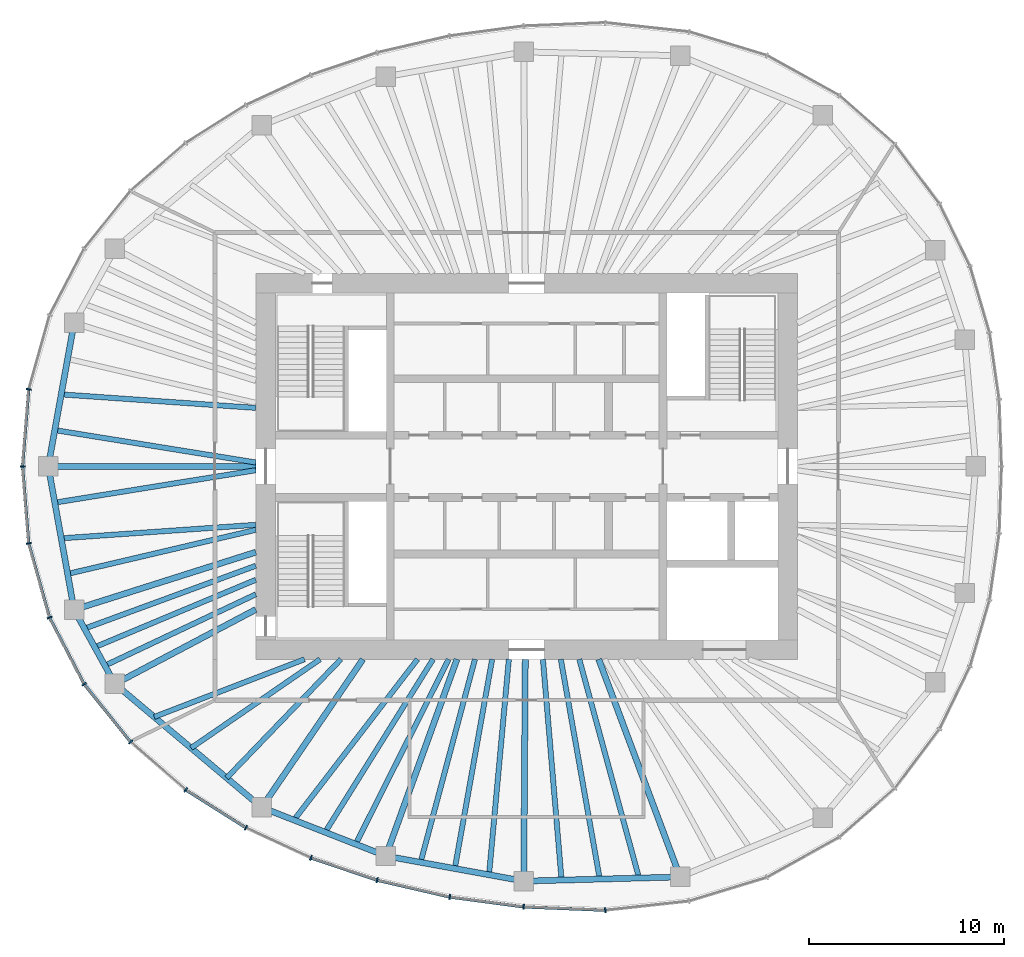
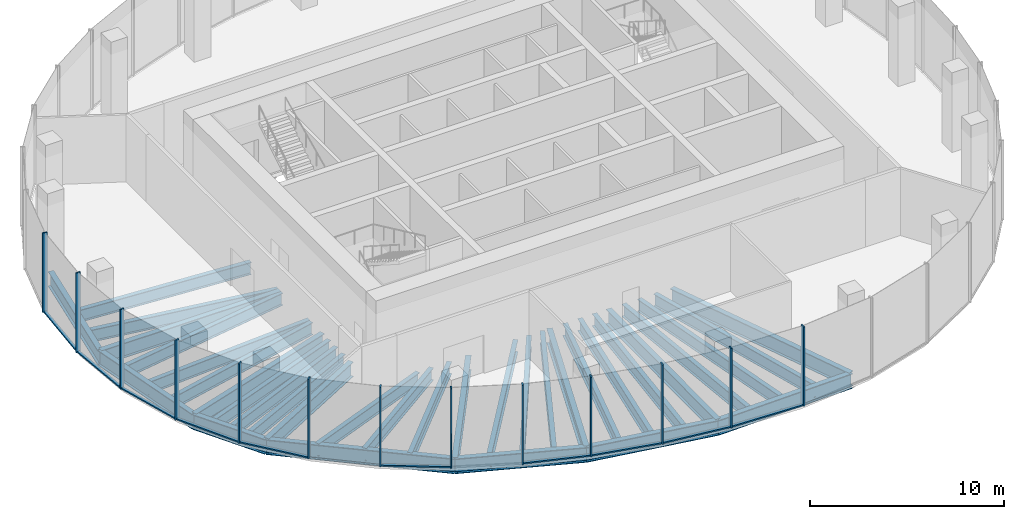
# One storey, part 2 of 11: 34 beams, 23 members, 7 elements without a shape of their own.
"""IFC4 building model written with IfcOpenShell, lengths in metres."""

from ifc_helpers import new_model, si_unit, direction, frame, origin, origin_2d, place, context, subcontext, project, spatial, rectangle, i_section, extrude, material, material_profile, profile_set, type_object, element, aggregate, save


model = new_model("IFC4")

# Units and contexts
model_context = context("Model", 3, precision=1e-05, world=origin(), true_north=direction((0.0, 1.0)))
body_context = subcontext(model_context, "Body", "Model", "MODEL_VIEW")
ifc_project = project(units=[si_unit("LENGTHUNIT", "METRE"), si_unit("AREAUNIT", "SQUARE_METRE"), si_unit("VOLUMEUNIT", "CUBIC_METRE"), si_unit("PLANEANGLEUNIT", "RADIAN"), si_unit("MASSUNIT", "GRAM", prefix="KILO")], contexts=[model_context])

# Site, building, storey
site_placement = place(None, origin())
site = spatial("IfcSite", under=ifc_project, at=site_placement, CompositionType="ELEMENT")
building_placement = place(site_placement, origin())
building = spatial("IfcBuilding", under=site, at=building_placement, Name="Ghaith Harvest Tower", CompositionType="ELEMENT")
storey_placement = place(building_placement, frame((0.0, 0.0, 344.199951171875)))
storey = spatial("IfcBuildingStorey", under=building, at=storey_placement, Name="L77", CompositionType="ELEMENT", Elevation=344.199951171875)

# Curtain wall, member
ifc_material_1 = material(Name="Black anodised aluminium and fritted glass", Category="aluminium")
curtain_wall_type = type_object("IfcCurtainWallType", Name="CW-C CURTAIN WALL", PredefinedType="NOTDEFINED", material=ifc_material_1)
curtain_wall_1_placement = place(storey_placement, origin())
curtain_wall_1 = element("IfcCurtainWall", 1, at=curtain_wall_1_placement, inside=storey, type_object=curtain_wall_type, Name="Curtain wall CW-C bay 10 L77", PredefinedType="NOTDEFINED")
ifc_material_2 = material(Name="Aluminium, black anodised", Category="aluminium")
ifc_material_profile_1 = material_profile(ifc_material_2, rectangle(XDim=0.080078125, YDim=0.260009765625, at=origin_2d()), Name="CW-C MULLION 80x260")
ifc_profile_set_1 = profile_set([ifc_material_profile_1], Name="Aluminium, black anodised")
member_type_1 = type_object("IfcMemberType", Name="CW-C MULLION 80x260", PredefinedType="MULLION", material=ifc_profile_set_1)
member_1_placement = place(storey_placement, frame((-25.5517578125, 3.9521484375, 0.0), z_axis=(0.0, 0.0, 1.0), x_axis=(-0.176001390642, -0.984389917915, 0.0)))
member_1 = element("IfcMember", 2, at=member_1_placement, type_object=member_type_1, Name="CW-C mullion 2 bay 10 L77", PredefinedType="MULLION", context=body_context, shape_type="SweptSolid", body=[
    extrude(rectangle(XDim=0.080078125, YDim=0.260009765625, at=origin_2d()), origin(), (0.0, 0.0, 1.0), 5.0),
])

# Curtain wall, members
curtain_wall_2_placement = place(storey_placement, origin())
curtain_wall_2 = element("IfcCurtainWall", 3, at=curtain_wall_2_placement, inside=storey, type_object=curtain_wall_type, Name="Curtain wall CW-C bay 11 L77", PredefinedType="NOTDEFINED")
member_2_placement = place(storey_placement, frame((-25.8701171875, 0.0, 0.0), z_axis=(0.0, 0.0, 1.0), x_axis=(-1.05e-10, -1.0, 0.0)))
member_2 = element("IfcMember", 4, at=member_2_placement, type_object=member_type_1, Name="CW-C mullion 1 bay 11 L77", PredefinedType="MULLION", context=body_context, shape_type="SweptSolid", body=[
    extrude(rectangle(XDim=0.080078125, YDim=0.260009765625, at=origin_2d()), origin(), (0.0, 0.0, 1.0), 5.0),
])
member_3_placement = place(storey_placement, frame((-25.5517578125, -3.9521484375, 0.0), z_axis=(0.0, 0.0, 1.0), x_axis=(0.176001391003, -0.98438991785, 0.0)))
member_3 = element("IfcMember", 5, at=member_3_placement, type_object=member_type_1, Name="CW-C mullion 2 bay 11 L77", PredefinedType="MULLION", context=body_context, shape_type="SweptSolid", body=[
    extrude(rectangle(XDim=0.080078125, YDim=0.260009765625, at=origin_2d()), origin(), (0.0, 0.0, 1.0), 5.0),
])

curtain_wall_3_placement = place(storey_placement, origin())
curtain_wall_3 = element("IfcCurtainWall", 6, at=curtain_wall_3_placement, inside=storey, type_object=curtain_wall_type, Name="Curtain wall CW-C bay 12 L77", PredefinedType="NOTDEFINED")
member_4_placement = place(storey_placement, frame((-24.482666015625, -7.759033203125, 0.0), z_axis=(0.0, 0.0, 1.0), x_axis=(0.366473104734, -0.930428645038, 0.0)))
member_4 = element("IfcMember", 7, at=member_4_placement, type_object=member_type_1, Name="CW-C mullion 1 bay 12 L77", PredefinedType="MULLION", context=body_context, shape_type="SweptSolid", body=[
    extrude(rectangle(XDim=0.080078125, YDim=0.260009765625, at=origin_2d()), origin(), (0.0, 0.0, 1.0), 5.0),
])
member_5_placement = place(storey_placement, frame((-22.706298828125, -11.176513671875, 0.0), z_axis=(0.0, 0.0, 1.0), x_axis=(0.545865412431, -0.837872873121, 0.0)))
member_5 = element("IfcMember", 8, at=member_5_placement, type_object=member_type_1, Name="CW-C mullion 2 bay 12 L77", PredefinedType="MULLION", context=body_context, shape_type="SweptSolid", body=[
    extrude(rectangle(XDim=0.080078125, YDim=0.260009765625, at=origin_2d()), origin(), (0.0, 0.0, 1.0), 5.0),
])

curtain_wall_4_placement = place(storey_placement, origin())
curtain_wall_4 = element("IfcCurtainWall", 9, at=curtain_wall_4_placement, inside=storey, type_object=curtain_wall_type, Name="Curtain wall CW-C bay 13 L77", PredefinedType="NOTDEFINED")
member_6_placement = place(storey_placement, frame((-20.324462890625, -14.141845703125, 0.0), z_axis=(0.0, 0.0, 1.0), x_axis=(0.692826491831, -0.721104328248, 0.0)))
member_6 = element("IfcMember", 10, at=member_6_placement, type_object=member_type_1, Name="CW-C mullion 1 bay 13 L77", PredefinedType="MULLION", context=body_context, shape_type="SweptSolid", body=[
    extrude(rectangle(XDim=0.080078125, YDim=0.260009765625, at=origin_2d()), origin(), (0.0, 0.0, 1.0), 5.0),
])
member_7_placement = place(storey_placement, frame((-17.49462890625, -16.600830078125, 0.0), z_axis=(0.0, 0.0, 1.0), x_axis=(0.802189888845, -0.59706899286, 0.0)))
member_7 = element("IfcMember", 11, at=member_7_placement, type_object=member_type_1, Name="CW-C mullion 2 bay 13 L77", PredefinedType="MULLION", context=body_context, shape_type="SweptSolid", body=[
    extrude(rectangle(XDim=0.080078125, YDim=0.260009765625, at=origin_2d()), origin(), (0.0, 0.0, 1.0), 5.0),
])

curtain_wall_5_placement = place(storey_placement, origin())
curtain_wall_5 = element("IfcCurtainWall", 12, at=curtain_wall_5_placement, inside=storey, type_object=curtain_wall_type, Name="Curtain wall CW-C bay 14 L77", PredefinedType="NOTDEFINED")
member_8_placement = place(storey_placement, frame((-14.40478515625, -18.5478515625, 0.0), z_axis=(0.0, 0.0, 1.0), x_axis=(0.878671732732, -0.477426419564, 0.0)))
member_8 = element("IfcMember", 13, at=member_8_placement, type_object=member_type_1, Name="CW-C mullion 1 bay 14 L77", PredefinedType="MULLION", context=body_context, shape_type="SweptSolid", body=[
    extrude(rectangle(XDim=0.080078125, YDim=0.260009765625, at=origin_2d()), origin(), (0.0, 0.0, 1.0), 5.0),
])
member_9_placement = place(storey_placement, frame((-11.0673828125, -20.093017578125, 0.0), z_axis=(0.0, 0.0, 1.0), x_axis=(0.92862442092, -0.371021138038, 0.0)))
member_9 = element("IfcMember", 14, at=member_9_placement, type_object=member_type_1, Name="CW-C mullion 2 bay 14 L77", PredefinedType="MULLION", context=body_context, shape_type="SweptSolid", body=[
    extrude(rectangle(XDim=0.080078125, YDim=0.260009765625, at=origin_2d()), origin(), (0.0, 0.0, 1.0), 5.0),
])

curtain_wall_6_placement = place(storey_placement, origin())
curtain_wall_6 = element("IfcCurtainWall", 15, at=curtain_wall_6_placement, inside=storey, type_object=curtain_wall_type, Name="Curtain wall CW-C bay 15 L77", PredefinedType="NOTDEFINED")
member_10_placement = place(storey_placement, frame((-7.6708984375, -21.23828125, 0.0), z_axis=(0.0, 0.0, 1.0), x_axis=(0.962552491659, -0.271095372151, 0.0)))
member_10 = element("IfcMember", 16, at=member_10_placement, type_object=member_type_1, Name="CW-C mullion 1 bay 15 L77", PredefinedType="MULLION", context=body_context, shape_type="SweptSolid", body=[
    extrude(rectangle(XDim=0.080078125, YDim=0.260009765625, at=origin_2d()), origin(), (0.0, 0.0, 1.0), 5.0),
])
member_11_placement = place(storey_placement, frame((-3.946533203125, -22.0986328125, 0.0), z_axis=(0.0, 0.0, 1.0), x_axis=(0.983843447712, -0.179030920217, 0.0)))
member_11 = element("IfcMember", 17, at=member_11_placement, type_object=member_type_1, Name="CW-C mullion 2 bay 15 L77", PredefinedType="MULLION", context=body_context, shape_type="SweptSolid", body=[
    extrude(rectangle(XDim=0.080078125, YDim=0.260009765625, at=origin_2d()), origin(), (0.0, 0.0, 1.0), 5.0),
])

curtain_wall_7_placement = place(storey_placement, origin())
curtain_wall_7 = element("IfcCurtainWall", 18, at=curtain_wall_7_placement, inside=storey, type_object=curtain_wall_type, Name="Curtain wall CW-C bay 16 L77", PredefinedType="NOTDEFINED")
member_12_placement = place(storey_placement, frame((-0.15478515625, -22.60595703125, 0.0), z_axis=(0.0, 0.0, 1.0), x_axis=(0.996414855524, -0.084601629366, 0.0)))
member_12 = element("IfcMember", 19, at=member_12_placement, type_object=member_type_1, Name="CW-C mullion 1 bay 16 L77", PredefinedType="MULLION", context=body_context, shape_type="SweptSolid", body=[
    extrude(rectangle(XDim=0.080078125, YDim=0.260009765625, at=origin_2d()), origin(), (0.0, 0.0, 1.0), 5.0),
])
member_13_placement = place(storey_placement, frame((4.037841796875, -22.776611328125, 0.0), z_axis=(0.0, 0.0, 1.0), x_axis=(0.999388631241, 0.034962318939, 0.0)))
member_13 = element("IfcMember", 20, at=member_13_placement, type_object=member_type_1, Name="CW-C mullion 2 bay 16 L77", PredefinedType="MULLION", context=body_context, shape_type="SweptSolid", body=[
    extrude(rectangle(XDim=0.080078125, YDim=0.260009765625, at=origin_2d()), origin(), (0.0, 0.0, 1.0), 5.0),
])

# Member
ifc_material_3 = material(Name="Aluminium, black anodised", Category="aluminium")
ifc_material_profile_2 = material_profile(ifc_material_3, rectangle(XDim=0.159912109375, YDim=0.080078125, at=origin_2d()), Name="CW-C TRANSOM 160x80")
ifc_profile_set_2 = profile_set([ifc_material_profile_2], Name="Aluminium, black anodised")
member_type_2 = type_object("IfcMemberType", Name="CW-C TRANSOM 160x80", PredefinedType="USERDEFINED", material=ifc_profile_set_2)
member_14_placement = place(storey_placement, frame((-25.554931640625, 3.912109375, 0.0400390625), z_axis=(-0.08025226314, -0.996774585481, 0.0), x_axis=(0.996774585481, -0.08025226314, 0.0)))
member_14 = element("IfcMember", 21, at=member_14_placement, type_object=member_type_2, Name="CW-C transom 2 bay 10 L77", ObjectType="TRANSOM", PredefinedType="USERDEFINED", context=body_context, shape_type="SweptSolid", body=[
    extrude(rectangle(XDim=0.159912109375, YDim=0.080078125, at=origin_2d()), origin(), (0.0, 0.0, 1.0), 3.884765625),
])

aggregate(curtain_wall_1, [member_1, member_14])

member_15_placement = place(storey_placement, frame((-25.86669921875, -0.039794921875, 0.0400390625), z_axis=(0.08025226314, -0.996774585481, 0.0), x_axis=(0.996774585481, 0.08025226314, 0.0)))
member_15 = element("IfcMember", 22, at=member_15_placement, type_object=member_type_2, Name="CW-C transom 1 bay 11 L77", ObjectType="TRANSOM", PredefinedType="USERDEFINED", context=body_context, shape_type="SweptSolid", body=[
    extrude(rectangle(XDim=0.159912109375, YDim=0.080078125, at=origin_2d()), origin(), (0.0, 0.0, 1.0), 3.884765625),
])

member_16_placement = place(storey_placement, frame((-25.541015625, -3.990478515625, 0.0400390625), z_axis=(0.270340422972, -0.962764797709, 0.0), x_axis=(0.962764797709, 0.270340422972, 0.0)))
member_16 = element("IfcMember", 23, at=member_16_placement, type_object=member_type_2, Name="CW-C transom 2 bay 11 L77", ObjectType="TRANSOM", PredefinedType="USERDEFINED", context=body_context, shape_type="SweptSolid", body=[
    extrude(rectangle(XDim=0.159912109375, YDim=0.080078125, at=origin_2d()), origin(), (0.0, 0.0, 1.0), 3.874267578125),
])

aggregate(curtain_wall_2, [member_2, member_15, member_3, member_16])

member_17_placement = place(storey_placement, frame((-24.46435546875, -7.79443359375, 0.0400390625), z_axis=(0.461242681347, -0.887274021317, 0.0), x_axis=(0.887274021317, 0.461242681347, 0.0)))
member_17 = element("IfcMember", 24, at=member_17_placement, type_object=member_type_2, Name="CW-C transom 1 bay 12 L77", ObjectType="TRANSOM", PredefinedType="USERDEFINED", context=body_context, shape_type="SweptSolid", body=[
    extrude(rectangle(XDim=0.159912109375, YDim=0.080078125, at=origin_2d()), origin(), (0.0, 0.0, 1.0), 3.77197265625),
])

member_18_placement = place(storey_placement, frame((-22.68115234375, -11.207763671875, 0.0400390625), z_axis=(0.626253073761, -0.779619835307, 0.0), x_axis=(0.779619835307, 0.626253073761, 0.0)))
member_18 = element("IfcMember", 25, at=member_18_placement, type_object=member_type_2, Name="CW-C transom 2 bay 12 L77", ObjectType="TRANSOM", PredefinedType="USERDEFINED", context=body_context, shape_type="SweptSolid", body=[
    extrude(rectangle(XDim=0.159912109375, YDim=0.080078125, at=origin_2d()), origin(), (0.0, 0.0, 1.0), 3.723388671875),
])

aggregate(curtain_wall_3, [member_4, member_17, member_5, member_18])

member_19_placement = place(storey_placement, frame((-17.4609375, -16.6220703125, 0.0400390625), z_axis=(0.846053602505, -0.533097835006, 0.0), x_axis=(0.533097835006, 0.846053602505, 0.0)))
member_19 = element("IfcMember", 26, at=member_19_placement, type_object=member_type_2, Name="CW-C transom 2 bay 13 L77", ObjectType="TRANSOM", PredefinedType="USERDEFINED", context=body_context, shape_type="SweptSolid", body=[
    extrude(rectangle(XDim=0.159912109375, YDim=0.080078125, at=origin_2d()), origin(), (0.0, 0.0, 1.0), 3.572021484375),
])

aggregate(curtain_wall_4, [member_6, member_7, member_19])

member_20_placement = place(storey_placement, frame((-11.029541015625, -20.105712890625, 0.0400390625), z_axis=(0.9475698206, -0.319548799228, 0.0), x_axis=(0.319548799228, 0.9475698206, 0.0)))
member_20 = element("IfcMember", 27, at=member_20_placement, type_object=member_type_2, Name="CW-C transom 2 bay 14 L77", ObjectType="TRANSOM", PredefinedType="USERDEFINED", context=body_context, shape_type="SweptSolid", body=[
    extrude(rectangle(XDim=0.159912109375, YDim=0.080078125, at=origin_2d()), origin(), (0.0, 0.0, 1.0), 3.504638671875),
])

aggregate(curtain_wall_5, [member_8, member_9, member_20])

member_21_placement = place(storey_placement, frame((-7.6318359375, -21.247314453125, 0.0400390625), z_axis=(0.974344997799, -0.225059603803, 0.0), x_axis=(0.225059603803, 0.974344997799, 0.0)))
member_21 = element("IfcMember", 28, at=member_21_placement, type_object=member_type_2, Name="CW-C transom 1 bay 15 L77", ObjectType="TRANSOM", PredefinedType="USERDEFINED", context=body_context, shape_type="SweptSolid", body=[
    extrude(rectangle(XDim=0.159912109375, YDim=0.080078125, at=origin_2d()), origin(), (0.0, 0.0, 1.0), 3.742431640625),
])

member_22_placement = place(storey_placement, frame((-3.90673828125, -22.10400390625, 0.0400390625), z_axis=(0.99117202259, -0.132582131655, 0.0), x_axis=(0.132582131655, 0.99117202259, 0.0)))
member_22 = element("IfcMember", 29, at=member_22_placement, type_object=member_type_2, Name="CW-C transom 2 bay 15 L77", ObjectType="TRANSOM", PredefinedType="USERDEFINED", context=body_context, shape_type="SweptSolid", body=[
    extrude(rectangle(XDim=0.159912109375, YDim=0.080078125, at=origin_2d()), origin(), (0.0, 0.0, 1.0), 3.745361328125),
])

aggregate(curtain_wall_6, [member_10, member_21, member_11, member_22])

member_23_placement = place(storey_placement, frame((-0.11474609375, -22.607666015625, 0.0400390625), z_axis=(0.999174207562, -0.040631304968, 0.0), x_axis=(0.040631304968, 0.999174207562, 0.0)))
member_23 = element("IfcMember", 30, at=member_23_placement, type_object=member_type_2, Name="CW-C transom 1 bay 16 L77", ObjectType="TRANSOM", PredefinedType="USERDEFINED", context=body_context, shape_type="SweptSolid", body=[
    extrude(rectangle(XDim=0.159912109375, YDim=0.080078125, at=origin_2d()), origin(), (0.0, 0.0, 1.0), 4.115966796875),
])

aggregate(curtain_wall_7, [member_12, member_23, member_13])

# Beams
ifc_material_4 = material(Name="Steel ASTM A992 Grade 50", Category="steel")
ifc_material_profile_3 = material_profile(ifc_material_4, i_section(OverallWidth=0.306884765625, OverallDepth=0.94189453125, WebThickness=0.022216796875, FlangeThickness=0.039794921875, at=origin_2d()), Name="W920X345")
ifc_profile_set_3 = profile_set([ifc_material_profile_3], Name="Steel ASTM A992 Grade 50")
beam_type_1 = type_object("IfcBeamType", Name="E920-345 W920X345", PredefinedType="SPANDREL", material=ifc_profile_set_3)
for number, where, z_axis, x_axis, name in (
    (31, (-23.22412109375, 7.360107421875, -0.77099609375), (-0.177296554745, -0.984157473007, 0.0), (0.984157473007, -0.177296554745, 0.0), "Edge beam E10 L77"),
    (32, (-24.550048828125, 0.0, -0.77099609375), (0.177296554745, -0.984157473007, 0.0), (0.984157473007, 0.177296554745, 0.0), "Edge beam E11 L77"),
):
    element("IfcBeam", number, at=place(storey_placement, frame(where, z_axis=z_axis, x_axis=x_axis)), inside=storey, type_object=beam_type_1, Name=name, PredefinedType="SPANDREL", context=body_context, shape_type="SweptSolid", body=[
        extrude(i_section(OverallWidth=0.306884765625, OverallDepth=0.94189453125, WebThickness=0.022216796875, FlangeThickness=0.039794921875, at=origin_2d()), origin(), (0.0, 0.0, 1.0), 7.478515625),
    ])
beam_1_placement = place(storey_placement, frame((-23.22412109375, -7.360107421875, -0.77099609375), z_axis=(0.482955575345, -0.875644855089, 0.0), x_axis=(0.875644855089, 0.482955575345, 0.0)))
element("IfcBeam", 33, at=beam_1_placement, inside=storey, type_object=beam_type_1, Name="Edge beam E12 L77", PredefinedType="SPANDREL", context=body_context, shape_type="SweptSolid", body=[
    extrude(i_section(OverallWidth=0.306884765625, OverallDepth=0.94189453125, WebThickness=0.022216796875, FlangeThickness=0.039794921875, at=origin_2d()), origin(), (0.0, 0.0, 1.0), 4.346435546875),
])
beam_2_placement = place(storey_placement, frame((-21.125, -11.166015625, -0.77099609375), z_axis=(0.765021818761, -0.64400436087, 0.0), x_axis=(0.64400436087, 0.765021818761, 0.0)))
element("IfcBeam", 34, at=beam_2_placement, inside=storey, type_object=beam_type_1, Name="Edge beam E13 L77", PredefinedType="SPANDREL", context=body_context, shape_type="SweptSolid", body=[
    extrude(i_section(OverallWidth=0.306884765625, OverallDepth=0.94189453125, WebThickness=0.022216796875, FlangeThickness=0.039794921875, at=origin_2d()), origin(), (0.0, 0.0, 1.0), 9.8427734375),
])
beam_3_placement = place(storey_placement, frame((-13.594970703125, -17.5048828125, -0.77099609375), z_axis=(0.931322768207, -0.364194867371, 0.0), x_axis=(0.364194867371, 0.931322768207, 0.0)))
element("IfcBeam", 35, at=beam_3_placement, inside=storey, type_object=beam_type_1, Name="Edge beam E14 L77", PredefinedType="SPANDREL", context=body_context, shape_type="SweptSolid", body=[
    extrude(i_section(OverallWidth=0.306884765625, OverallDepth=0.94189453125, WebThickness=0.022216796875, FlangeThickness=0.039794921875, at=origin_2d()), origin(), (0.0, 0.0, 1.0), 6.843017578125),
])
beam_4_placement = place(storey_placement, frame((-7.221923828125, -19.9970703125, -0.77099609375), z_axis=(0.983813921429, -0.179193102551, 0.0), x_axis=(0.179193102551, 0.983813921429, 0.0)))
element("IfcBeam", 36, at=beam_4_placement, inside=storey, type_object=beam_type_1, Name="Edge beam E15 L77", PredefinedType="SPANDREL", context=body_context, shape_type="SweptSolid", body=[
    extrude(i_section(OverallWidth=0.306884765625, OverallDepth=0.94189453125, WebThickness=0.022216796875, FlangeThickness=0.039794921875, at=origin_2d()), origin(), (0.0, 0.0, 1.0), 7.1923828125),
])
beam_5_placement = place(storey_placement, frame((-0.14599609375, -21.285888671875, -0.77099609375), z_axis=(0.999644979696, 0.02664422206, 0.0), x_axis=(-0.02664422206, 0.999644979696, 0.0)))
element("IfcBeam", 37, at=beam_5_placement, inside=storey, type_object=beam_type_1, Name="Edge beam E16 L77", PredefinedType="SPANDREL", context=body_context, shape_type="SweptSolid", body=[
    extrude(i_section(OverallWidth=0.306884765625, OverallDepth=0.94189453125, WebThickness=0.022216796875, FlangeThickness=0.039794921875, at=origin_2d()), origin(), (0.0, 0.0, 1.0), 8.02685546875),
])
ifc_material_5 = material(Name="Steel ASTM A992 Grade 50", Category="steel")
ifc_material_profile_4 = material_profile(ifc_material_5, i_section(OverallWidth=0.31005859375, OverallDepth=0.927001953125, WebThickness=0.019287109375, FlangeThickness=0.031982421875, at=origin_2d()), Name="W920X289")
ifc_profile_set_4 = profile_set([ifc_material_profile_4], Name="Steel ASTM A992 Grade 50")
beam_type_2 = type_object("IfcBeamType", Name="G920-289 W920X289", PredefinedType="BEAM", material=ifc_profile_set_4)
beam_6_placement = place(storey_placement, frame((-13.89990234375, 0.0, -0.763427734375), z_axis=(-1.0, 0.0, 0.0), x_axis=(0.0, -1.0, 0.0)))
element("IfcBeam", 38, at=beam_6_placement, inside=storey, type_object=beam_type_2, Name="Radial girder G11 L77", PredefinedType="BEAM", context=body_context, shape_type="SweptSolid", body=[
    extrude(i_section(OverallWidth=0.31005859375, OverallDepth=0.927001953125, WebThickness=0.019287109375, FlangeThickness=0.031982421875, at=origin_2d()), origin(), (0.0, 0.0, 1.0), 10.650146484375),
])
beam_7_placement = place(storey_placement, frame((-13.89990234375, -4.4052734375, -0.763427734375), z_axis=(-0.953278508772, -0.302092841215, 0.0), x_axis=(0.302092841215, -0.953278508772, 0.0)))
element("IfcBeam", 39, at=beam_7_placement, inside=storey, type_object=beam_type_2, Name="Radial girder G12 L77", PredefinedType="BEAM", context=body_context, shape_type="SweptSolid", body=[
    extrude(i_section(OverallWidth=0.31005859375, OverallDepth=0.927001953125, WebThickness=0.019287109375, FlangeThickness=0.031982421875, at=origin_2d()), origin(), (0.0, 0.0, 1.0), 9.78125),
])
beam_8_placement = place(storey_placement, frame((-13.89990234375, -7.34716796875, -0.763427734375), z_axis=(-0.88410164037, -0.467294649546, 0.0), x_axis=(0.467294649546, -0.88410164037, 0.0)))
element("IfcBeam", 40, at=beam_8_placement, inside=storey, type_object=beam_type_2, Name="Radial girder G13 L77", PredefinedType="BEAM", context=body_context, shape_type="SweptSolid", body=[
    extrude(i_section(OverallWidth=0.31005859375, OverallDepth=0.927001953125, WebThickness=0.019287109375, FlangeThickness=0.031982421875, at=origin_2d()), origin(), (0.0, 0.0, 1.0), 8.17236328125),
])
beam_9_placement = place(storey_placement, frame((-8.39990234375, -9.89990234375, -0.763427734375), z_axis=(-0.564067018201, -0.825729010619, 0.0), x_axis=(0.825729010619, -0.564067018201, 0.0)))
element("IfcBeam", 41, at=beam_9_placement, inside=storey, type_object=beam_type_2, Name="Radial girder G14 L77", PredefinedType="BEAM", context=body_context, shape_type="SweptSolid", body=[
    extrude(i_section(OverallWidth=0.31005859375, OverallDepth=0.927001953125, WebThickness=0.019287109375, FlangeThickness=0.031982421875, at=origin_2d()), origin(), (0.0, 0.0, 1.0), 9.2099609375),
])
beam_10_placement = place(storey_placement, frame((-3.57568359375, -9.89990234375, -0.763427734375), z_axis=(-0.339647816823, -0.940552688863, 0.0), x_axis=(0.940552688863, -0.339647816823, 0.0)))
element("IfcBeam", 42, at=beam_10_placement, inside=storey, type_object=beam_type_2, Name="Radial girder G15 L77", PredefinedType="BEAM", context=body_context, shape_type="SweptSolid", body=[
    extrude(i_section(OverallWidth=0.31005859375, OverallDepth=0.927001953125, WebThickness=0.019287109375, FlangeThickness=0.031982421875, at=origin_2d()), origin(), (0.0, 0.0, 1.0), 10.7353515625),
])
beam_11_placement = place(storey_placement, frame((-0.06787109375, -9.89990234375, -0.763427734375), z_axis=(-0.006861343299, -0.999976460707, 0.0), x_axis=(0.999976460707, -0.006861343299, 0.0)))
element("IfcBeam", 43, at=beam_11_placement, inside=storey, type_object=beam_type_2, Name="Radial girder G16 L77", PredefinedType="BEAM", context=body_context, shape_type="SweptSolid", body=[
    extrude(i_section(OverallWidth=0.31005859375, OverallDepth=0.927001953125, WebThickness=0.019287109375, FlangeThickness=0.031982421875, at=origin_2d()), origin(), (0.0, 0.0, 1.0), 11.38623046875),
])
beam_12_placement = place(storey_placement, frame((3.700927734375, -9.89990234375, -0.763427734375), z_axis=(0.350201332531, -0.936674450753, 0.0), x_axis=(0.936674450753, 0.350201332531, 0.0)))
element("IfcBeam", 44, at=beam_12_placement, inside=storey, type_object=beam_type_2, Name="Radial girder G17 L77", PredefinedType="BEAM", context=body_context, shape_type="SweptSolid", body=[
    extrude(i_section(OverallWidth=0.31005859375, OverallDepth=0.927001953125, WebThickness=0.019287109375, FlangeThickness=0.031982421875, at=origin_2d()), origin(), (0.0, 0.0, 1.0), 11.927490234375),
])
ifc_material_6 = material(Name="Steel ASTM A992 Grade 50", Category="steel")
ifc_material_profile_5 = material_profile(ifc_material_6, i_section(OverallWidth=0.26806640625, OverallDepth=0.77001953125, WebThickness=0.015625, FlangeThickness=0.025390625, at=origin_2d()), Name="W760X196")
ifc_profile_set_5 = profile_set([ifc_material_profile_5], Name="Steel ASTM A992 Grade 50")
beam_type_3 = type_object("IfcBeamType", Name="J760-196 W760X196", PredefinedType="JOIST", material=ifc_profile_set_5)
beam_13_placement = place(storey_placement, frame((-13.89990234375, 3.0, -0.68505859375), z_axis=(-0.997592478057, 0.069348739886, 0.0), x_axis=(-0.069348739886, -0.997592478057, 0.0)))
element("IfcBeam", 45, at=beam_13_placement, inside=storey, type_object=beam_type_3, Name="Joist J10.2 L77", PredefinedType="JOIST", context=body_context, shape_type="SweptSolid", body=[
    extrude(i_section(OverallWidth=0.26806640625, OverallDepth=0.77001953125, WebThickness=0.015625, FlangeThickness=0.025390625, at=origin_2d()), origin(), (0.0, 0.0, 1.0), 10.0087890625),
])
for number, where, z_axis, x_axis, name in (
    (46, (-13.89990234375, 0.199951171875, -0.68505859375), (-0.987271793524, 0.159042150743, 0.0), (-0.159042150743, -0.987271793524, 0.0), "Joist J10.3 L77"),
    (47, (-13.89990234375, -0.199951171875, -0.68505859375), (-0.987271793524, -0.159042150743, 0.0), (0.159042150743, -0.987271793524, 0.0), "Joist J11.1 L77"),
):
    element("IfcBeam", number, at=place(storey_placement, frame(where, z_axis=z_axis, x_axis=x_axis)), inside=storey, type_object=beam_type_3, Name=name, PredefinedType="JOIST", context=body_context, shape_type="SweptSolid", body=[
        extrude(i_section(OverallWidth=0.26806640625, OverallDepth=0.77001953125, WebThickness=0.015625, FlangeThickness=0.025390625, at=origin_2d()), origin(), (0.0, 0.0, 1.0), 10.44775390625),
    ])
beam_14_placement = place(storey_placement, frame((-13.89990234375, -3.0, -0.68505859375), z_axis=(-0.997592478057, -0.069348739886, 0.0), x_axis=(0.069348739886, -0.997592478057, 0.0)))
element("IfcBeam", 48, at=beam_14_placement, inside=storey, type_object=beam_type_3, Name="Joist J11.2 L77", PredefinedType="JOIST", context=body_context, shape_type="SweptSolid", body=[
    extrude(i_section(OverallWidth=0.26806640625, OverallDepth=0.77001953125, WebThickness=0.015625, FlangeThickness=0.025390625, at=origin_2d()), origin(), (0.0, 0.0, 1.0), 10.0087890625),
])
beam_15_placement = place(storey_placement, frame((-13.89990234375, -3.257080078125, -0.68505859375), z_axis=(-0.973623403271, -0.228161058472, 0.0), x_axis=(0.228161058472, -0.973623403271, 0.0)))
element("IfcBeam", 49, at=beam_15_placement, inside=storey, type_object=beam_type_3, Name="Joist J11.3 L77", PredefinedType="JOIST", context=body_context, shape_type="SweptSolid", body=[
    extrude(i_section(OverallWidth=0.26806640625, OverallDepth=0.77001953125, WebThickness=0.015625, FlangeThickness=0.025390625, at=origin_2d()), origin(), (0.0, 0.0, 1.0), 9.9169921875),
])
beam_16_placement = place(storey_placement, frame((-13.89990234375, -5.101318359375, -0.68505859375), z_axis=(-0.938776837502, -0.34452583266, 0.0), x_axis=(0.34452583266, -0.938776837502, 0.0)))
element("IfcBeam", 50, at=beam_16_placement, inside=storey, type_object=beam_type_3, Name="Joist J12.1 L77", PredefinedType="JOIST", context=body_context, shape_type="SweptSolid", body=[
    extrude(i_section(OverallWidth=0.26806640625, OverallDepth=0.77001953125, WebThickness=0.015625, FlangeThickness=0.025390625, at=origin_2d()), origin(), (0.0, 0.0, 1.0), 9.36376953125),
])
beam_17_placement = place(storey_placement, frame((-13.89990234375, -5.82080078125, -0.68505859375), z_axis=(-0.922394258818, -0.38624970071, 0.0), x_axis=(0.38624970071, -0.922394258818, 0.0)))
element("IfcBeam", 51, at=beam_17_placement, inside=storey, type_object=beam_type_3, Name="Joist J12.2 L77", PredefinedType="JOIST", context=body_context, shape_type="SweptSolid", body=[
    extrude(i_section(OverallWidth=0.26806640625, OverallDepth=0.77001953125, WebThickness=0.015625, FlangeThickness=0.025390625, at=origin_2d()), origin(), (0.0, 0.0, 1.0), 8.959716796875),
])
beam_18_placement = place(storey_placement, frame((-13.89990234375, -6.56787109375, -0.68505859375), z_axis=(-0.904165769726, -0.427181765594, 0.0), x_axis=(0.427181765594, -0.904165769726, 0.0)))
element("IfcBeam", 52, at=beam_18_placement, inside=storey, type_object=beam_type_3, Name="Joist J12.3 L77", PredefinedType="JOIST", context=body_context, shape_type="SweptSolid", body=[
    extrude(i_section(OverallWidth=0.26806640625, OverallDepth=0.77001953125, WebThickness=0.015625, FlangeThickness=0.025390625, at=origin_2d()), origin(), (0.0, 0.0, 1.0), 8.564208984375),
])
beam_19_placement = place(storey_placement, frame((-11.39990234375, -9.89990234375, -0.68505859375), z_axis=(-0.933583045329, -0.358361127181, 0.0), x_axis=(0.358361127181, -0.933583045329, 0.0)))
element("IfcBeam", 53, at=beam_19_placement, inside=storey, type_object=beam_type_3, Name="Joist J13.1 L77", PredefinedType="JOIST", context=body_context, shape_type="SweptSolid", body=[
    extrude(i_section(OverallWidth=0.26806640625, OverallDepth=0.77001953125, WebThickness=0.015625, FlangeThickness=0.025390625, at=origin_2d()), origin(), (0.0, 0.0, 1.0), 8.260986328125),
])
beam_20_placement = place(storey_placement, frame((-10.60009765625, -9.89990234375, -0.68505859375), z_axis=(-0.823778502511, -0.566911791023, 0.0), x_axis=(0.566911791023, -0.823778502511, 0.0)))
element("IfcBeam", 54, at=beam_20_placement, inside=storey, type_object=beam_type_3, Name="Joist J13.2 L77", PredefinedType="JOIST", context=body_context, shape_type="SweptSolid", body=[
    extrude(i_section(OverallWidth=0.26806640625, OverallDepth=0.77001953125, WebThickness=0.015625, FlangeThickness=0.025390625, at=origin_2d()), origin(), (0.0, 0.0, 1.0), 8.0341796875),
])
beam_21_placement = place(storey_placement, frame((-9.530517578125, -9.89990234375, -0.68505859375), z_axis=(-0.693536238632, -0.720421741554, 0.0), x_axis=(0.720421741554, -0.693536238632, 0.0)))
element("IfcBeam", 55, at=beam_21_placement, inside=storey, type_object=beam_type_3, Name="Joist J13.3 L77", PredefinedType="JOIST", context=body_context, shape_type="SweptSolid", body=[
    extrude(i_section(OverallWidth=0.26806640625, OverallDepth=0.77001953125, WebThickness=0.015625, FlangeThickness=0.025390625, at=origin_2d()), origin(), (0.0, 0.0, 1.0), 8.4541015625),
])
beam_22_placement = place(storey_placement, frame((-5.60009765625, -9.89990234375, -0.68505859375), z_axis=(-0.609353577926, -0.792898617144, 0.0), x_axis=(0.792898617144, -0.609353577926, 0.0)))
element("IfcBeam", 56, at=beam_22_placement, inside=storey, type_object=beam_type_3, Name="Joist J14.1 L77", PredefinedType="JOIST", context=body_context, shape_type="SweptSolid", body=[
    extrude(i_section(OverallWidth=0.26806640625, OverallDepth=0.77001953125, WebThickness=0.015625, FlangeThickness=0.025390625, at=origin_2d()), origin(), (0.0, 0.0, 1.0), 10.406982421875),
])
beam_23_placement = place(storey_placement, frame((-4.800048828125, -9.89990234375, -0.68505859375), z_axis=(-0.529596254905, -0.848249849273, 0.0), x_axis=(0.848249849273, -0.529596254905, 0.0)))
element("IfcBeam", 57, at=beam_23_placement, inside=storey, type_object=beam_type_3, Name="Joist J14.2 L77", PredefinedType="JOIST", context=body_context, shape_type="SweptSolid", body=[
    extrude(i_section(OverallWidth=0.26806640625, OverallDepth=0.77001953125, WebThickness=0.015625, FlangeThickness=0.025390625, at=origin_2d()), origin(), (0.0, 0.0, 1.0), 10.465087890625),
])
beam_24_placement = place(storey_placement, frame((-4.0, -9.89990234375, -0.68505859375), z_axis=(-0.449556131123, -0.893252083664, 0.0), x_axis=(0.893252083664, -0.449556131123, 0.0)))
element("IfcBeam", 58, at=beam_24_placement, inside=storey, type_object=beam_type_3, Name="Joist J14.3 L77", PredefinedType="JOIST", context=body_context, shape_type="SweptSolid", body=[
    extrude(i_section(OverallWidth=0.26806640625, OverallDepth=0.77001953125, WebThickness=0.015625, FlangeThickness=0.025390625, at=origin_2d()), origin(), (0.0, 0.0, 1.0), 10.62353515625),
])
beam_25_placement = place(storey_placement, frame((-2.651123046875, -9.89990234375, -0.68505859375), z_axis=(-0.258678019609, -0.965963602923, 0.0), x_axis=(0.965963602923, -0.258678019609, 0.0)))
element("IfcBeam", 59, at=beam_25_placement, inside=storey, type_object=beam_type_3, Name="Joist J15.1 L77", PredefinedType="JOIST", context=body_context, shape_type="SweptSolid", body=[
    extrude(i_section(OverallWidth=0.26806640625, OverallDepth=0.77001953125, WebThickness=0.015625, FlangeThickness=0.025390625, at=origin_2d()), origin(), (0.0, 0.0, 1.0), 10.78857421875),
])
beam_26_placement = place(storey_placement, frame((-1.76806640625, -9.89990234375, -0.68505859375), z_axis=(-0.175803029262, -0.984425362789, 0.0), x_axis=(0.984425362789, -0.175803029262, 0.0)))
element("IfcBeam", 60, at=beam_26_placement, inside=storey, type_object=beam_type_3, Name="Joist J15.2 L77", PredefinedType="JOIST", context=body_context, shape_type="SweptSolid", body=[
    extrude(i_section(OverallWidth=0.26806640625, OverallDepth=0.77001953125, WebThickness=0.015625, FlangeThickness=0.025390625, at=origin_2d()), origin(), (0.0, 0.0, 1.0), 10.9111328125),
])
beam_27_placement = place(storey_placement, frame((-0.9111328125, -9.89990234375, -0.68505859375), z_axis=(-0.091651380942, -0.995791154998, 0.0), x_axis=(0.995791154998, -0.091651380942, 0.0)))
element("IfcBeam", 61, at=beam_27_placement, inside=storey, type_object=beam_type_3, Name="Joist J15.3 L77", PredefinedType="JOIST", context=body_context, shape_type="SweptSolid", body=[
    extrude(i_section(OverallWidth=0.26806640625, OverallDepth=0.77001953125, WebThickness=0.015625, FlangeThickness=0.025390625, at=origin_2d()), origin(), (0.0, 0.0, 1.0), 11.10791015625),
])
beam_28_placement = place(storey_placement, frame((0.836669921875, -9.89990234375, -0.68505859375), z_axis=(0.084201795166, -0.996448723061, 0.0), x_axis=(0.996448723061, 0.084201795166, 0.0)))
element("IfcBeam", 62, at=beam_28_placement, inside=storey, type_object=beam_type_3, Name="Joist J16.1 L77", PredefinedType="JOIST", context=body_context, shape_type="SweptSolid", body=[
    extrude(i_section(OverallWidth=0.26806640625, OverallDepth=0.77001953125, WebThickness=0.015625, FlangeThickness=0.025390625, at=origin_2d()), origin(), (0.0, 0.0, 1.0), 11.37451171875),
])
beam_29_placement = place(storey_placement, frame((1.7548828125, -9.89990234375, -0.68505859375), z_axis=(0.174572943493, -0.98464424408, 0.0), x_axis=(0.98464424408, 0.174572943493, 0.0)))
element("IfcBeam", 63, at=beam_29_placement, inside=storey, type_object=beam_type_3, Name="Joist J16.2 L77", PredefinedType="JOIST", context=body_context, shape_type="SweptSolid", body=[
    extrude(i_section(OverallWidth=0.26806640625, OverallDepth=0.77001953125, WebThickness=0.015625, FlangeThickness=0.025390625, at=origin_2d()), origin(), (0.0, 0.0, 1.0), 11.4580078125),
])
beam_30_placement = place(storey_placement, frame((2.70361328125, -9.89990234375, -0.68505859375), z_axis=(0.263468802698, -0.964667916956, 0.0), x_axis=(0.964667916956, 0.263468802698, 0.0)))
element("IfcBeam", 64, at=beam_30_placement, inside=storey, type_object=beam_type_3, Name="Joist J16.3 L77", PredefinedType="JOIST", context=body_context, shape_type="SweptSolid", body=[
    extrude(i_section(OverallWidth=0.26806640625, OverallDepth=0.77001953125, WebThickness=0.015625, FlangeThickness=0.025390625, at=origin_2d()), origin(), (0.0, 0.0, 1.0), 11.639404296875),
])

save(model, "model.ifc")
